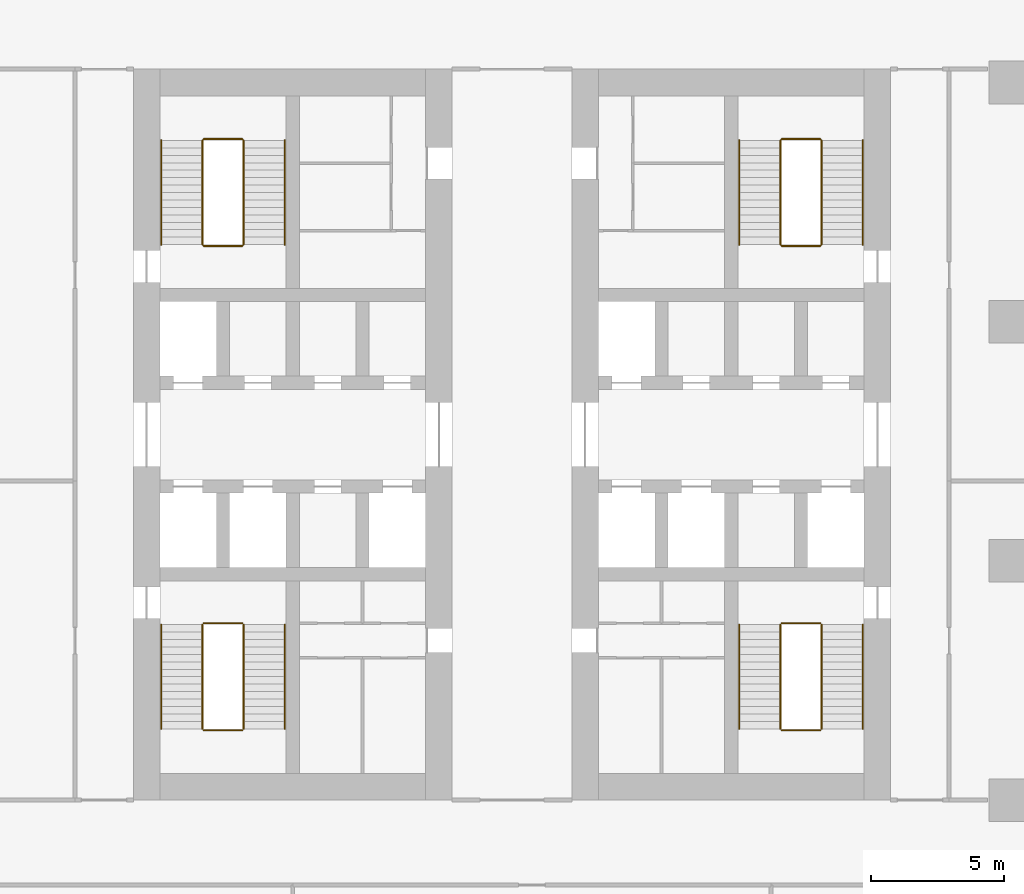
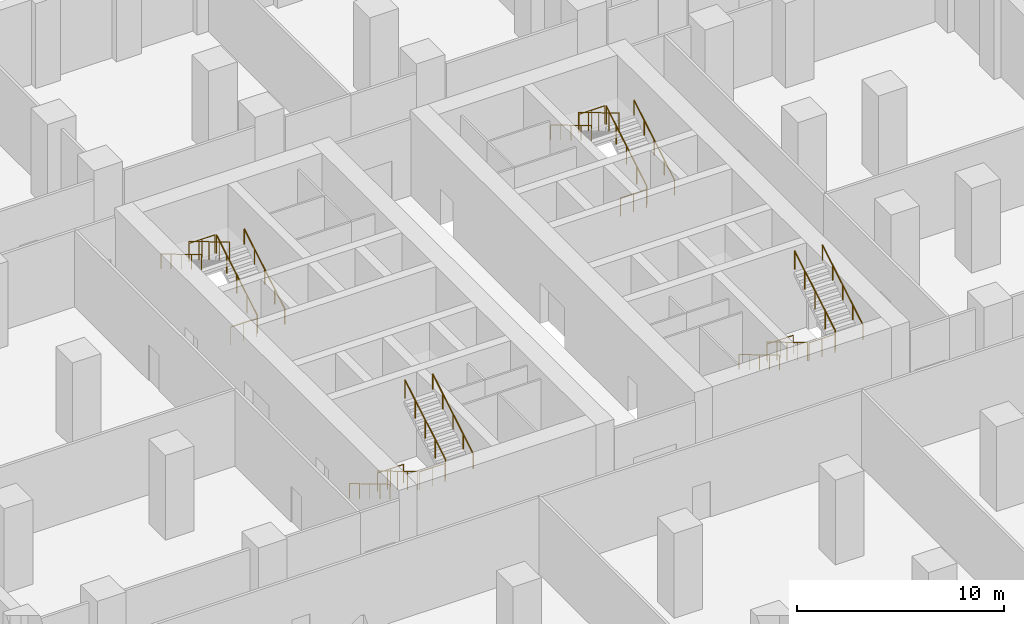
# One storey, part 7 of 7: 24 railings.
"""IFC4 building model written with IfcOpenShell, lengths in metres."""

from ifc_helpers import new_model, si_unit, direction, frame, origin, origin_2d, place, context, subcontext, project, spatial, circle, extrude, material, type_object, element, save


model = new_model("IFC4")

# Units and contexts
model_context = context("Model", 3, precision=1e-05, world=origin(), true_north=direction((0.0, 1.0)))
body_context = subcontext(model_context, "Body", "Model", "MODEL_VIEW")
ifc_project = project(units=[si_unit("LENGTHUNIT", "METRE"), si_unit("AREAUNIT", "SQUARE_METRE"), si_unit("VOLUMEUNIT", "CUBIC_METRE"), si_unit("PLANEANGLEUNIT", "RADIAN"), si_unit("MASSUNIT", "GRAM", prefix="KILO")], contexts=[model_context])

# Site, building, storey
site_placement = place(None, origin())
site = spatial("IfcSite", under=ifc_project, at=site_placement, CompositionType="ELEMENT")
building_placement = place(site_placement, origin())
building = spatial("IfcBuilding", under=site, at=building_placement, Name="Corbel Stack Research Tower", CompositionType="ELEMENT")
storey_placement = place(building_placement, frame((0.0, 0.0, -5.0)))
storey = spatial("IfcBuildingStorey", under=building, at=storey_placement, Name="B1", CompositionType="ELEMENT", Elevation=-5.0)

# Railings
ifc_material_1 = material(Name="Steel S355", Category="steel")
railing_type_1 = type_object("IfcRailingType", Name="Stair guard 1100", PredefinedType="GUARDRAIL", material=ifc_material_1)
railing_1_placement = place(storey_placement, frame((-7.89990234375, -2.39990234375, 0.166748046875)))
element("IfcRailing", 1, at=railing_1_placement, inside=storey, type_object=railing_type_1, Name="B1 ST-W1 stair guard 1", PredefinedType="GUARDRAIL", context=body_context, shape_type="SweptSolid", body=[
    extrude(circle(Radius=0.02392578125, at=origin_2d()), frame((0.0, 0.0, 1.076171875), z_axis=(0.0, -0.859310244771, 0.511454693235), x_axis=(1.0, 0.0, 0.0)), (0.0, 0.0, 1.0), 4.56201171875),
    extrude(circle(Radius=0.02099609375, at=origin_2d()), origin(), (0.0, 0.0, 1.0), 1.052001953125),
    extrude(circle(Radius=0.02099609375, at=origin_2d()), frame((0.0, -0.97998046875, 0.583251953125)), (0.0, 0.0, 1.0), 1.052001953125),
    extrude(circle(Radius=0.02099609375, at=origin_2d()), frame((0.0, -1.9599609375, 1.16650390625)), (0.0, 0.0, 1.0), 1.052001953125),
    extrude(circle(Radius=0.02099609375, at=origin_2d()), frame((0.0, -2.940185546875, 1.75)), (0.0, 0.0, 1.0), 1.052001953125),
    extrude(circle(Radius=0.02099609375, at=origin_2d()), frame((0.0, -3.920166015625, 2.333251953125)), (0.0, 0.0, 1.0), 1.052001953125),
])
railing_2_placement = place(storey_placement, frame((-7.85009765625, -6.3701171875, 2.5)))
element("IfcRailing", 2, at=railing_2_placement, inside=storey, type_object=railing_type_1, Name="B1 ST-W1 stair guard 2", PredefinedType="GUARDRAIL", context=body_context, shape_type="SweptSolid", body=[
    extrude(circle(Radius=0.02392578125, at=origin_2d()), frame((0.0, 0.0, 1.076171875), z_axis=(1.0, 0.0, 0.0), x_axis=(0.0, 1.0, 0.0)), (0.0, 0.0, 1.0), 1.4501953125),
    extrude(circle(Radius=0.02099609375, at=origin_2d()), origin(), (0.0, 0.0, 1.0), 1.052001953125),
    extrude(circle(Radius=0.02099609375, at=origin_2d()), frame((0.72509765625, 0.0, 0.0)), (0.0, 0.0, 1.0), 1.052001953125),
    extrude(circle(Radius=0.02099609375, at=origin_2d()), frame((1.4501953125, 0.0, 0.0)), (0.0, 0.0, 1.0), 1.052001953125),
])
railing_3_placement = place(storey_placement, frame((-6.35009765625, -6.320068359375, 2.666748046875)))
element("IfcRailing", 3, at=railing_3_placement, inside=storey, type_object=railing_type_1, Name="B1 ST-W1 stair guard 3", PredefinedType="GUARDRAIL", context=body_context, shape_type="SweptSolid", body=[
    extrude(circle(Radius=0.02392578125, at=origin_2d()), frame((0.0, 0.0, 1.076171875), z_axis=(0.0, 0.859310244771, 0.511454693235), x_axis=(-1.0, 0.0, 0.0)), (0.0, 0.0, 1.0), 4.56201171875),
    extrude(circle(Radius=0.02099609375, at=origin_2d()), origin(), (0.0, 0.0, 1.0), 1.052001953125),
    extrude(circle(Radius=0.02099609375, at=origin_2d()), frame((0.0, 0.97998046875, 0.583251953125)), (0.0, 0.0, 1.0), 1.052001953125),
    extrude(circle(Radius=0.02099609375, at=origin_2d()), frame((0.0, 1.9599609375, 1.16650390625)), (0.0, 0.0, 1.0), 1.052001953125),
    extrude(circle(Radius=0.02099609375, at=origin_2d()), frame((0.0, 2.940185546875, 1.75)), (0.0, 0.0, 1.0), 1.052001953125),
    extrude(circle(Radius=0.02099609375, at=origin_2d()), frame((0.0, 3.920166015625, 2.333251953125)), (0.0, 0.0, 1.0), 1.052001953125),
])
railing_4_placement = place(storey_placement, frame((-7.85009765625, -2.35009765625, 0.0)))
element("IfcRailing", 4, at=railing_4_placement, inside=storey, type_object=railing_type_1, Name="B1 ST-W1 stair guard 4", PredefinedType="GUARDRAIL", context=body_context, shape_type="SweptSolid", body=[
    extrude(circle(Radius=0.02392578125, at=origin_2d()), frame((0.0, 0.0, 1.076171875), z_axis=(1.0, 0.0, 0.0), x_axis=(0.0, 1.0, 0.0)), (0.0, 0.0, 1.0), 1.4501953125),
    extrude(circle(Radius=0.02099609375, at=origin_2d()), origin(), (0.0, 0.0, 1.0), 1.052001953125),
    extrude(circle(Radius=0.02099609375, at=origin_2d()), frame((0.72509765625, 0.0, 0.0)), (0.0, 0.0, 1.0), 1.052001953125),
    extrude(circle(Radius=0.02099609375, at=origin_2d()), frame((1.4501953125, 0.0, 0.0)), (0.0, 0.0, 1.0), 1.052001953125),
])
railing_5_placement = place(storey_placement, frame((-6.35009765625, 11.89990234375, 0.166748046875)))
element("IfcRailing", 5, at=railing_5_placement, inside=storey, type_object=railing_type_1, Name="B1 ST-W2 stair guard 1", PredefinedType="GUARDRAIL", context=body_context, shape_type="SweptSolid", body=[
    extrude(circle(Radius=0.02392578125, at=origin_2d()), frame((0.0, 0.0, 1.076171875), z_axis=(0.0, 0.859310244771, 0.511454693235), x_axis=(-1.0, 0.0, 0.0)), (0.0, 0.0, 1.0), 4.56201171875),
    extrude(circle(Radius=0.02099609375, at=origin_2d()), origin(), (0.0, 0.0, 1.0), 1.052001953125),
    extrude(circle(Radius=0.02099609375, at=origin_2d()), frame((0.0, 0.97998046875, 0.583251953125)), (0.0, 0.0, 1.0), 1.052001953125),
    extrude(circle(Radius=0.02099609375, at=origin_2d()), frame((0.0, 1.9599609375, 1.16650390625)), (0.0, 0.0, 1.0), 1.052001953125),
    extrude(circle(Radius=0.02099609375, at=origin_2d()), frame((0.0, 2.940185546875, 1.75)), (0.0, 0.0, 1.0), 1.052001953125),
    extrude(circle(Radius=0.02099609375, at=origin_2d()), frame((0.0, 3.920166015625, 2.333251953125)), (0.0, 0.0, 1.0), 1.052001953125),
])
railing_6_placement = place(storey_placement, frame((-6.39990234375, 15.8701171875, 2.5)))
element("IfcRailing", 6, at=railing_6_placement, inside=storey, type_object=railing_type_1, Name="B1 ST-W2 stair guard 2", PredefinedType="GUARDRAIL", context=body_context, shape_type="SweptSolid", body=[
    extrude(circle(Radius=0.02392578125, at=origin_2d()), frame((0.0, 0.0, 1.076171875), z_axis=(-1.0, 0.0, 0.0), x_axis=(0.0, -1.0, 0.0)), (0.0, 0.0, 1.0), 1.4501953125),
    extrude(circle(Radius=0.02099609375, at=origin_2d()), origin(), (0.0, 0.0, 1.0), 1.052001953125),
    extrude(circle(Radius=0.02099609375, at=origin_2d()), frame((-0.72509765625, 0.0, 0.0)), (0.0, 0.0, 1.0), 1.052001953125),
    extrude(circle(Radius=0.02099609375, at=origin_2d()), frame((-1.4501953125, 0.0, 0.0)), (0.0, 0.0, 1.0), 1.052001953125),
])
railing_7_placement = place(storey_placement, frame((-7.89990234375, 15.820068359375, 2.666748046875)))
element("IfcRailing", 7, at=railing_7_placement, inside=storey, type_object=railing_type_1, Name="B1 ST-W2 stair guard 3", PredefinedType="GUARDRAIL", context=body_context, shape_type="SweptSolid", body=[
    extrude(circle(Radius=0.02392578125, at=origin_2d()), frame((0.0, 0.0, 1.076171875), z_axis=(0.0, -0.859310244771, 0.511454693235), x_axis=(1.0, 0.0, 0.0)), (0.0, 0.0, 1.0), 4.56201171875),
    extrude(circle(Radius=0.02099609375, at=origin_2d()), origin(), (0.0, 0.0, 1.0), 1.052001953125),
    extrude(circle(Radius=0.02099609375, at=origin_2d()), frame((0.0, -0.97998046875, 0.583251953125)), (0.0, 0.0, 1.0), 1.052001953125),
    extrude(circle(Radius=0.02099609375, at=origin_2d()), frame((0.0, -1.9599609375, 1.16650390625)), (0.0, 0.0, 1.0), 1.052001953125),
    extrude(circle(Radius=0.02099609375, at=origin_2d()), frame((0.0, -2.940185546875, 1.75)), (0.0, 0.0, 1.0), 1.052001953125),
    extrude(circle(Radius=0.02099609375, at=origin_2d()), frame((0.0, -3.920166015625, 2.333251953125)), (0.0, 0.0, 1.0), 1.052001953125),
])
railing_8_placement = place(storey_placement, frame((-6.39990234375, 11.85009765625, 0.0)))
element("IfcRailing", 8, at=railing_8_placement, inside=storey, type_object=railing_type_1, Name="B1 ST-W2 stair guard 4", PredefinedType="GUARDRAIL", context=body_context, shape_type="SweptSolid", body=[
    extrude(circle(Radius=0.02392578125, at=origin_2d()), frame((0.0, 0.0, 1.076171875), z_axis=(-1.0, 0.0, 0.0), x_axis=(0.0, -1.0, 0.0)), (0.0, 0.0, 1.0), 1.4501953125),
    extrude(circle(Radius=0.02099609375, at=origin_2d()), origin(), (0.0, 0.0, 1.0), 1.052001953125),
    extrude(circle(Radius=0.02099609375, at=origin_2d()), frame((-0.72509765625, 0.0, 0.0)), (0.0, 0.0, 1.0), 1.052001953125),
    extrude(circle(Radius=0.02099609375, at=origin_2d()), frame((-1.4501953125, 0.0, 0.0)), (0.0, 0.0, 1.0), 1.052001953125),
])
railing_9_placement = place(storey_placement, frame((13.85009765625, -2.39990234375, 0.166748046875)))
element("IfcRailing", 9, at=railing_9_placement, inside=storey, type_object=railing_type_1, Name="B1 ST-E1 stair guard 1", PredefinedType="GUARDRAIL", context=body_context, shape_type="SweptSolid", body=[
    extrude(circle(Radius=0.02392578125, at=origin_2d()), frame((0.0, 0.0, 1.076171875), z_axis=(0.0, -0.859310244771, 0.511454693235), x_axis=(1.0, 0.0, 0.0)), (0.0, 0.0, 1.0), 4.56201171875),
    extrude(circle(Radius=0.02099609375, at=origin_2d()), origin(), (0.0, 0.0, 1.0), 1.052001953125),
    extrude(circle(Radius=0.02099609375, at=origin_2d()), frame((0.0, -0.97998046875, 0.583251953125)), (0.0, 0.0, 1.0), 1.052001953125),
    extrude(circle(Radius=0.02099609375, at=origin_2d()), frame((0.0, -1.9599609375, 1.16650390625)), (0.0, 0.0, 1.0), 1.052001953125),
    extrude(circle(Radius=0.02099609375, at=origin_2d()), frame((0.0, -2.940185546875, 1.75)), (0.0, 0.0, 1.0), 1.052001953125),
    extrude(circle(Radius=0.02099609375, at=origin_2d()), frame((0.0, -3.920166015625, 2.333251953125)), (0.0, 0.0, 1.0), 1.052001953125),
])
railing_10_placement = place(storey_placement, frame((13.89990234375, -6.3701171875, 2.5)))
element("IfcRailing", 10, at=railing_10_placement, inside=storey, type_object=railing_type_1, Name="B1 ST-E1 stair guard 2", PredefinedType="GUARDRAIL", context=body_context, shape_type="SweptSolid", body=[
    extrude(circle(Radius=0.02392578125, at=origin_2d()), frame((0.0, 0.0, 1.076171875), z_axis=(1.0, 0.0, 0.0), x_axis=(0.0, 1.0, 0.0)), (0.0, 0.0, 1.0), 1.4501953125),
    extrude(circle(Radius=0.02099609375, at=origin_2d()), origin(), (0.0, 0.0, 1.0), 1.052001953125),
    extrude(circle(Radius=0.02099609375, at=origin_2d()), frame((0.72509765625, 0.0, 0.0)), (0.0, 0.0, 1.0), 1.052001953125),
    extrude(circle(Radius=0.02099609375, at=origin_2d()), frame((1.4501953125, 0.0, 0.0)), (0.0, 0.0, 1.0), 1.052001953125),
])
railing_11_placement = place(storey_placement, frame((15.39990234375, -6.320068359375, 2.666748046875)))
element("IfcRailing", 11, at=railing_11_placement, inside=storey, type_object=railing_type_1, Name="B1 ST-E1 stair guard 3", PredefinedType="GUARDRAIL", context=body_context, shape_type="SweptSolid", body=[
    extrude(circle(Radius=0.02392578125, at=origin_2d()), frame((0.0, 0.0, 1.076171875), z_axis=(0.0, 0.859310244771, 0.511454693235), x_axis=(-1.0, 0.0, 0.0)), (0.0, 0.0, 1.0), 4.56201171875),
    extrude(circle(Radius=0.02099609375, at=origin_2d()), origin(), (0.0, 0.0, 1.0), 1.052001953125),
    extrude(circle(Radius=0.02099609375, at=origin_2d()), frame((0.0, 0.97998046875, 0.583251953125)), (0.0, 0.0, 1.0), 1.052001953125),
    extrude(circle(Radius=0.02099609375, at=origin_2d()), frame((0.0, 1.9599609375, 1.16650390625)), (0.0, 0.0, 1.0), 1.052001953125),
    extrude(circle(Radius=0.02099609375, at=origin_2d()), frame((0.0, 2.940185546875, 1.75)), (0.0, 0.0, 1.0), 1.052001953125),
    extrude(circle(Radius=0.02099609375, at=origin_2d()), frame((0.0, 3.920166015625, 2.333251953125)), (0.0, 0.0, 1.0), 1.052001953125),
])
railing_12_placement = place(storey_placement, frame((13.89990234375, -2.35009765625, 0.0)))
element("IfcRailing", 12, at=railing_12_placement, inside=storey, type_object=railing_type_1, Name="B1 ST-E1 stair guard 4", PredefinedType="GUARDRAIL", context=body_context, shape_type="SweptSolid", body=[
    extrude(circle(Radius=0.02392578125, at=origin_2d()), frame((0.0, 0.0, 1.076171875), z_axis=(1.0, 0.0, 0.0), x_axis=(0.0, 1.0, 0.0)), (0.0, 0.0, 1.0), 1.4501953125),
    extrude(circle(Radius=0.02099609375, at=origin_2d()), origin(), (0.0, 0.0, 1.0), 1.052001953125),
    extrude(circle(Radius=0.02099609375, at=origin_2d()), frame((0.72509765625, 0.0, 0.0)), (0.0, 0.0, 1.0), 1.052001953125),
    extrude(circle(Radius=0.02099609375, at=origin_2d()), frame((1.4501953125, 0.0, 0.0)), (0.0, 0.0, 1.0), 1.052001953125),
])
railing_13_placement = place(storey_placement, frame((15.39990234375, 11.89990234375, 0.166748046875)))
element("IfcRailing", 13, at=railing_13_placement, inside=storey, type_object=railing_type_1, Name="B1 ST-E2 stair guard 1", PredefinedType="GUARDRAIL", context=body_context, shape_type="SweptSolid", body=[
    extrude(circle(Radius=0.02392578125, at=origin_2d()), frame((0.0, 0.0, 1.076171875), z_axis=(0.0, 0.859310244771, 0.511454693235), x_axis=(-1.0, 0.0, 0.0)), (0.0, 0.0, 1.0), 4.56201171875),
    extrude(circle(Radius=0.02099609375, at=origin_2d()), origin(), (0.0, 0.0, 1.0), 1.052001953125),
    extrude(circle(Radius=0.02099609375, at=origin_2d()), frame((0.0, 0.97998046875, 0.583251953125)), (0.0, 0.0, 1.0), 1.052001953125),
    extrude(circle(Radius=0.02099609375, at=origin_2d()), frame((0.0, 1.9599609375, 1.16650390625)), (0.0, 0.0, 1.0), 1.052001953125),
    extrude(circle(Radius=0.02099609375, at=origin_2d()), frame((0.0, 2.940185546875, 1.75)), (0.0, 0.0, 1.0), 1.052001953125),
    extrude(circle(Radius=0.02099609375, at=origin_2d()), frame((0.0, 3.920166015625, 2.333251953125)), (0.0, 0.0, 1.0), 1.052001953125),
])
railing_14_placement = place(storey_placement, frame((15.35009765625, 15.8701171875, 2.5)))
element("IfcRailing", 14, at=railing_14_placement, inside=storey, type_object=railing_type_1, Name="B1 ST-E2 stair guard 2", PredefinedType="GUARDRAIL", context=body_context, shape_type="SweptSolid", body=[
    extrude(circle(Radius=0.02392578125, at=origin_2d()), frame((0.0, 0.0, 1.076171875), z_axis=(-1.0, 0.0, 0.0), x_axis=(0.0, -1.0, 0.0)), (0.0, 0.0, 1.0), 1.4501953125),
    extrude(circle(Radius=0.02099609375, at=origin_2d()), origin(), (0.0, 0.0, 1.0), 1.052001953125),
    extrude(circle(Radius=0.02099609375, at=origin_2d()), frame((-0.72509765625, 0.0, 0.0)), (0.0, 0.0, 1.0), 1.052001953125),
    extrude(circle(Radius=0.02099609375, at=origin_2d()), frame((-1.4501953125, 0.0, 0.0)), (0.0, 0.0, 1.0), 1.052001953125),
])
railing_15_placement = place(storey_placement, frame((13.85009765625, 15.820068359375, 2.666748046875)))
element("IfcRailing", 15, at=railing_15_placement, inside=storey, type_object=railing_type_1, Name="B1 ST-E2 stair guard 3", PredefinedType="GUARDRAIL", context=body_context, shape_type="SweptSolid", body=[
    extrude(circle(Radius=0.02392578125, at=origin_2d()), frame((0.0, 0.0, 1.076171875), z_axis=(0.0, -0.859310244771, 0.511454693235), x_axis=(1.0, 0.0, 0.0)), (0.0, 0.0, 1.0), 4.56201171875),
    extrude(circle(Radius=0.02099609375, at=origin_2d()), origin(), (0.0, 0.0, 1.0), 1.052001953125),
    extrude(circle(Radius=0.02099609375, at=origin_2d()), frame((0.0, -0.97998046875, 0.583251953125)), (0.0, 0.0, 1.0), 1.052001953125),
    extrude(circle(Radius=0.02099609375, at=origin_2d()), frame((0.0, -1.9599609375, 1.16650390625)), (0.0, 0.0, 1.0), 1.052001953125),
    extrude(circle(Radius=0.02099609375, at=origin_2d()), frame((0.0, -2.940185546875, 1.75)), (0.0, 0.0, 1.0), 1.052001953125),
    extrude(circle(Radius=0.02099609375, at=origin_2d()), frame((0.0, -3.920166015625, 2.333251953125)), (0.0, 0.0, 1.0), 1.052001953125),
])
railing_16_placement = place(storey_placement, frame((15.35009765625, 11.85009765625, 0.0)))
element("IfcRailing", 16, at=railing_16_placement, inside=storey, type_object=railing_type_1, Name="B1 ST-E2 stair guard 4", PredefinedType="GUARDRAIL", context=body_context, shape_type="SweptSolid", body=[
    extrude(circle(Radius=0.02392578125, at=origin_2d()), frame((0.0, 0.0, 1.076171875), z_axis=(-1.0, 0.0, 0.0), x_axis=(0.0, -1.0, 0.0)), (0.0, 0.0, 1.0), 1.4501953125),
    extrude(circle(Radius=0.02099609375, at=origin_2d()), origin(), (0.0, 0.0, 1.0), 1.052001953125),
    extrude(circle(Radius=0.02099609375, at=origin_2d()), frame((-0.72509765625, 0.0, 0.0)), (0.0, 0.0, 1.0), 1.052001953125),
    extrude(circle(Radius=0.02099609375, at=origin_2d()), frame((-1.4501953125, 0.0, 0.0)), (0.0, 0.0, 1.0), 1.052001953125),
])
ifc_material_2 = material(Name="Steel S355", Category="steel")
railing_type_2 = type_object("IfcRailingType", Name="Stair handrail 900", PredefinedType="HANDRAIL", material=ifc_material_2)
railing_17_placement = place(storey_placement, frame((-9.449951171875, -2.39990234375, 0.166748046875)))
element("IfcRailing", 17, at=railing_17_placement, inside=storey, type_object=railing_type_2, Name="B1 ST-W1 stair handrail 1", PredefinedType="HANDRAIL", context=body_context, shape_type="SweptSolid", body=[
    extrude(circle(Radius=0.02392578125, at=origin_2d()), frame((0.0, 0.0, 0.8759765625), z_axis=(0.0, -0.859310244771, 0.511454693235), x_axis=(1.0, 0.0, 0.0)), (0.0, 0.0, 1.0), 4.56201171875),
    extrude(circle(Radius=0.02099609375, at=origin_2d()), origin(), (0.0, 0.0, 1.0), 0.851806640625),
    extrude(circle(Radius=0.02099609375, at=origin_2d()), frame((0.0, -0.97998046875, 0.583251953125)), (0.0, 0.0, 1.0), 0.851806640625),
    extrude(circle(Radius=0.02099609375, at=origin_2d()), frame((0.0, -1.9599609375, 1.16650390625)), (0.0, 0.0, 1.0), 0.851806640625),
    extrude(circle(Radius=0.02099609375, at=origin_2d()), frame((0.0, -2.940185546875, 1.75)), (0.0, 0.0, 1.0), 0.851806640625),
    extrude(circle(Radius=0.02099609375, at=origin_2d()), frame((0.0, -3.920166015625, 2.333251953125)), (0.0, 0.0, 1.0), 0.851806640625),
])
for number, where, name in (
    (18, (-4.800048828125, -6.320068359375, 2.666748046875), "B1 ST-W1 stair handrail 2"),
    (19, (-4.800048828125, 11.89990234375, 0.166748046875), "B1 ST-W2 stair handrail 1"),
):
    element("IfcRailing", number, at=place(storey_placement, frame(where)), inside=storey, type_object=railing_type_2, Name=name, PredefinedType="HANDRAIL", context=body_context, shape_type="SweptSolid", body=[
        extrude(circle(Radius=0.02392578125, at=origin_2d()), frame((0.0, 0.0, 0.8759765625), z_axis=(0.0, 0.859310244771, 0.511454693235), x_axis=(-1.0, 0.0, 0.0)), (0.0, 0.0, 1.0), 4.56201171875),
        extrude(circle(Radius=0.02099609375, at=origin_2d()), origin(), (0.0, 0.0, 1.0), 0.851806640625),
        extrude(circle(Radius=0.02099609375, at=origin_2d()), frame((0.0, 0.97998046875, 0.583251953125)), (0.0, 0.0, 1.0), 0.851806640625),
        extrude(circle(Radius=0.02099609375, at=origin_2d()), frame((0.0, 1.9599609375, 1.16650390625)), (0.0, 0.0, 1.0), 0.851806640625),
        extrude(circle(Radius=0.02099609375, at=origin_2d()), frame((0.0, 2.940185546875, 1.75)), (0.0, 0.0, 1.0), 0.851806640625),
        extrude(circle(Radius=0.02099609375, at=origin_2d()), frame((0.0, 3.920166015625, 2.333251953125)), (0.0, 0.0, 1.0), 0.851806640625),
    ])
for number, where, name in (
    (20, (-9.449951171875, 15.820068359375, 2.666748046875), "B1 ST-W2 stair handrail 2"),
    (21, (12.300048828125, -2.39990234375, 0.166748046875), "B1 ST-E1 stair handrail 1"),
):
    element("IfcRailing", number, at=place(storey_placement, frame(where)), inside=storey, type_object=railing_type_2, Name=name, PredefinedType="HANDRAIL", context=body_context, shape_type="SweptSolid", body=[
        extrude(circle(Radius=0.02392578125, at=origin_2d()), frame((0.0, 0.0, 0.8759765625), z_axis=(0.0, -0.859310244771, 0.511454693235), x_axis=(1.0, 0.0, 0.0)), (0.0, 0.0, 1.0), 4.56201171875),
        extrude(circle(Radius=0.02099609375, at=origin_2d()), origin(), (0.0, 0.0, 1.0), 0.851806640625),
        extrude(circle(Radius=0.02099609375, at=origin_2d()), frame((0.0, -0.97998046875, 0.583251953125)), (0.0, 0.0, 1.0), 0.851806640625),
        extrude(circle(Radius=0.02099609375, at=origin_2d()), frame((0.0, -1.9599609375, 1.16650390625)), (0.0, 0.0, 1.0), 0.851806640625),
        extrude(circle(Radius=0.02099609375, at=origin_2d()), frame((0.0, -2.940185546875, 1.75)), (0.0, 0.0, 1.0), 0.851806640625),
        extrude(circle(Radius=0.02099609375, at=origin_2d()), frame((0.0, -3.920166015625, 2.333251953125)), (0.0, 0.0, 1.0), 0.851806640625),
    ])
for number, where, name in (
    (22, (16.949951171875, -6.320068359375, 2.666748046875), "B1 ST-E1 stair handrail 2"),
    (23, (16.949951171875, 11.89990234375, 0.166748046875), "B1 ST-E2 stair handrail 1"),
):
    element("IfcRailing", number, at=place(storey_placement, frame(where)), inside=storey, type_object=railing_type_2, Name=name, PredefinedType="HANDRAIL", context=body_context, shape_type="SweptSolid", body=[
        extrude(circle(Radius=0.02392578125, at=origin_2d()), frame((0.0, 0.0, 0.8759765625), z_axis=(0.0, 0.859310244771, 0.511454693235), x_axis=(-1.0, 0.0, 0.0)), (0.0, 0.0, 1.0), 4.56201171875),
        extrude(circle(Radius=0.02099609375, at=origin_2d()), origin(), (0.0, 0.0, 1.0), 0.851806640625),
        extrude(circle(Radius=0.02099609375, at=origin_2d()), frame((0.0, 0.97998046875, 0.583251953125)), (0.0, 0.0, 1.0), 0.851806640625),
        extrude(circle(Radius=0.02099609375, at=origin_2d()), frame((0.0, 1.9599609375, 1.16650390625)), (0.0, 0.0, 1.0), 0.851806640625),
        extrude(circle(Radius=0.02099609375, at=origin_2d()), frame((0.0, 2.940185546875, 1.75)), (0.0, 0.0, 1.0), 0.851806640625),
        extrude(circle(Radius=0.02099609375, at=origin_2d()), frame((0.0, 3.920166015625, 2.333251953125)), (0.0, 0.0, 1.0), 0.851806640625),
    ])
railing_18_placement = place(storey_placement, frame((12.300048828125, 15.820068359375, 2.666748046875)))
element("IfcRailing", 24, at=railing_18_placement, inside=storey, type_object=railing_type_2, Name="B1 ST-E2 stair handrail 2", PredefinedType="HANDRAIL", context=body_context, shape_type="SweptSolid", body=[
    extrude(circle(Radius=0.02392578125, at=origin_2d()), frame((0.0, 0.0, 0.8759765625), z_axis=(0.0, -0.859310244771, 0.511454693235), x_axis=(1.0, 0.0, 0.0)), (0.0, 0.0, 1.0), 4.56201171875),
    extrude(circle(Radius=0.02099609375, at=origin_2d()), origin(), (0.0, 0.0, 1.0), 0.851806640625),
    extrude(circle(Radius=0.02099609375, at=origin_2d()), frame((0.0, -0.97998046875, 0.583251953125)), (0.0, 0.0, 1.0), 0.851806640625),
    extrude(circle(Radius=0.02099609375, at=origin_2d()), frame((0.0, -1.9599609375, 1.16650390625)), (0.0, 0.0, 1.0), 0.851806640625),
    extrude(circle(Radius=0.02099609375, at=origin_2d()), frame((0.0, -2.940185546875, 1.75)), (0.0, 0.0, 1.0), 0.851806640625),
    extrude(circle(Radius=0.02099609375, at=origin_2d()), frame((0.0, -3.920166015625, 2.333251953125)), (0.0, 0.0, 1.0), 0.851806640625),
])

save(model, "model.ifc")
